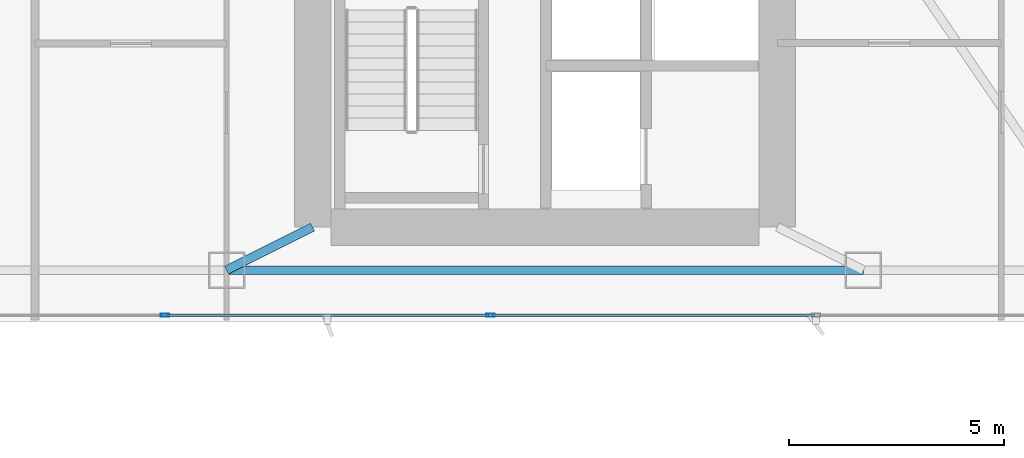
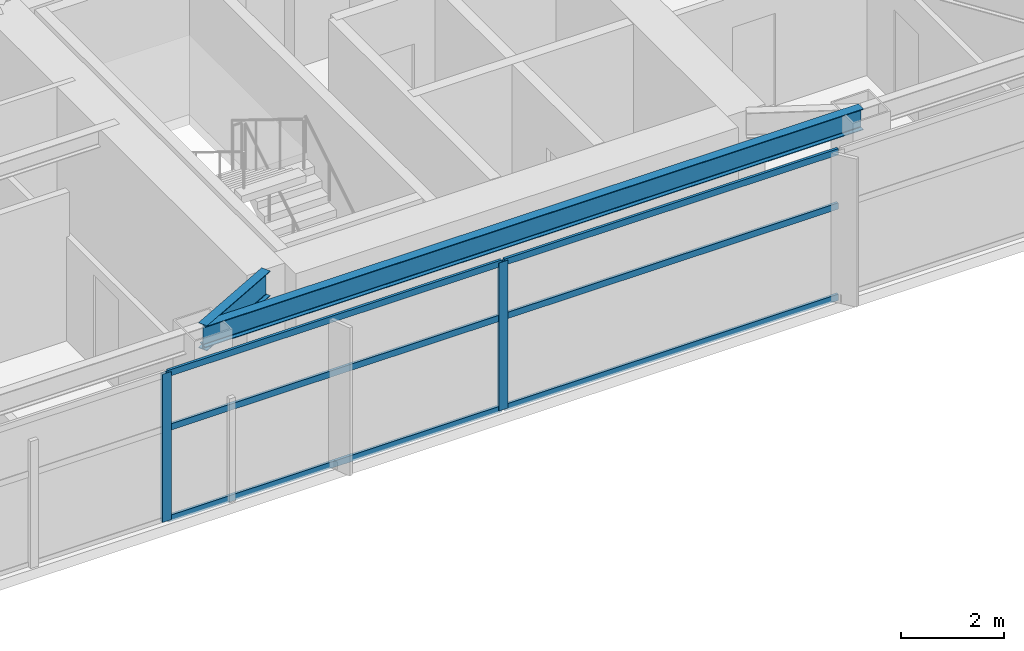
# One storey, part 6 of 28: 8 members, 2 beams, 1 element without a shape of its own.
"""IFC4 building model written with IfcOpenShell, lengths in metres."""

from ifc_helpers import new_model, si_unit, direction, frame, origin, origin_2d, place, context, subcontext, project, spatial, hollow_rectangle, i_section, extrude, material, layer, layer_set, material_profile, profile_set, type_object, element, aggregate, save


model = new_model("IFC4")

# Units and contexts
model_context = context("Model", 3, precision=1e-05, world=origin(), true_north=direction((0.0, 1.0)))
body_context = subcontext(model_context, "Body", "Model", "MODEL_VIEW")
ifc_project = project(units=[si_unit("LENGTHUNIT", "METRE"), si_unit("AREAUNIT", "SQUARE_METRE"), si_unit("VOLUMEUNIT", "CUBIC_METRE"), si_unit("PLANEANGLEUNIT", "RADIAN"), si_unit("MASSUNIT", "GRAM", prefix="KILO")], contexts=[model_context])

# Site, building, storey
site_placement = place(None, origin())
site = spatial("IfcSite", under=ifc_project, at=site_placement, CompositionType="ELEMENT")
building_placement = place(site_placement, origin())
building = spatial("IfcBuilding", under=site, at=building_placement, Name="Calvorn Quay Hotel", CompositionType="ELEMENT")
storey_placement = place(building_placement, frame((0.0, 0.0, 182.699951171875)))
storey = spatial("IfcBuildingStorey", under=building, at=storey_placement, Name="L45", CompositionType="ELEMENT", Elevation=182.699951171875)

# Beams
ifc_material_1 = material(Name="Steel Q355B", Category="steel")
ifc_material_profile_1 = material_profile(ifc_material_1, i_section(OverallWidth=0.199951171875, OverallDepth=0.60009765625, WebThickness=0.010986328125, FlangeThickness=0.01708984375, FilletRadius=0.01806640625, at=origin_2d()), Name="HN600x200x11x17")
ifc_profile_set_1 = profile_set([ifc_material_profile_1], Name="Steel Q355B")
beam_type_1 = type_object("IfcBeamType", Name="BM-GIRD-TYP", PredefinedType="BEAM", material=ifc_profile_set_1)
beam_1_placement = place(storey_placement, frame((19.60009765625, 3.60009765625, 3.219970703125), z_axis=(0.894427191, 0.4472135955, 0.0), x_axis=(-0.4472135955, 0.894427191, 0.0)))
element("IfcBeam", 1, at=beam_1_placement, inside=storey, type_object=beam_type_1, Name="Beam BG-L45-S2", PredefinedType="BEAM", context=body_context, shape_type="SweptSolid", body=[
    extrude(i_section(OverallWidth=0.199951171875, OverallDepth=0.60009765625, WebThickness=0.010986328125, FlangeThickness=0.01708984375, FilletRadius=0.01806640625, at=origin_2d()), origin(), (0.0, 0.0, 1.0), 2.236083984375),
])
ifc_material_2 = material(Name="Steel Q355B", Category="steel")
ifc_material_profile_2 = material_profile(ifc_material_2, i_section(OverallWidth=0.199951171875, OverallDepth=0.5, WebThickness=0.010009765625, FlangeThickness=0.01611328125, FilletRadius=0.01611328125, at=origin_2d()), Name="HN500x200x10x16")
ifc_profile_set_2 = profile_set([ifc_material_profile_2], Name="Steel Q355B")
beam_type_2 = type_object("IfcBeamType", Name="BM-SPANDREL-Z1", PredefinedType="SPANDREL", material=ifc_profile_set_2)
beam_2_placement = place(storey_placement, frame((19.60009765625, 3.60009765625, 3.27001953125), z_axis=(1.0, 0.0, 0.0), x_axis=(0.0, 1.0, 0.0)))
element("IfcBeam", 2, at=beam_2_placement, inside=storey, type_object=beam_type_2, Name="Beam BSP-L45-S3", PredefinedType="SPANDREL", context=body_context, shape_type="SweptSolid", body=[
    extrude(i_section(OverallWidth=0.199951171875, OverallDepth=0.5, WebThickness=0.010009765625, FlangeThickness=0.01611328125, FilletRadius=0.01611328125, at=origin_2d()), origin(), (0.0, 0.0, 1.0), 14.7998046875),
])

# Curtain wall, members
ifc_material_3 = material(Name="Pale Anodised Aluminium and Low-E Glass", Category="aluminium")
ifc_layer = layer(ifc_material_3, 0.219970703125)
ifc_layer_set = layer_set([ifc_layer], Name="CW-SYS-Z2")
curtain_wall_type = type_object("IfcCurtainWallType", Name="CW-SYS-Z2", PredefinedType="NOTDEFINED", material=ifc_layer_set)
curtain_wall_placement = place(storey_placement, origin())
curtain_wall = element("IfcCurtainWall", 3, at=curtain_wall_placement, inside=storey, type_object=curtain_wall_type, Name="Tower South Waterfront Curtain Wall (L45)", PredefinedType="NOTDEFINED")
ifc_material_4 = material(Name="Pale Anodised Aluminium 6063-T6", Category="aluminium")
ifc_material_profile_3 = material_profile(ifc_material_4, hollow_rectangle(XDim=0.070068359375, YDim=0.199951171875, WallThickness=0.00390625, at=origin_2d()), Name="ALU-M200x70x4")
ifc_profile_set_3 = profile_set([ifc_material_profile_3], Name="Pale Anodised Aluminium 6063-T6")
member_type_1 = type_object("IfcMemberType", Name="CW-SYS-Z2-MUL", PredefinedType="MULLION", material=ifc_profile_set_3)
member_1_placement = place(storey_placement, frame((18.166748046875, 2.550048828125, 0.0), z_axis=(0.0, 0.0, 1.0), x_axis=(0.0, 1.0, 0.0)))
member_1 = element("IfcMember", 4, at=member_1_placement, type_object=member_type_1, Name="CW-L45-S mullion 2", PredefinedType="MULLION", context=body_context, shape_type="SweptSolid", body=[
    extrude(hollow_rectangle(XDim=0.070068359375, YDim=0.199951171875, WallThickness=0.00390625, at=origin_2d()), origin(), (0.0, 0.0, 1.0), 3.52001953125),
])
member_2_placement = place(storey_placement, frame((25.7333984375, 2.550048828125, 0.0), z_axis=(0.0, 0.0, 1.0), x_axis=(0.0, 1.0, 0.0)))
member_2 = element("IfcMember", 5, at=member_2_placement, type_object=member_type_1, Name="CW-L45-S mullion 3", PredefinedType="MULLION", context=body_context, shape_type="SweptSolid", body=[
    extrude(hollow_rectangle(XDim=0.070068359375, YDim=0.199951171875, WallThickness=0.00390625, at=origin_2d()), origin(), (0.0, 0.0, 1.0), 3.52001953125),
])
ifc_material_5 = material(Name="Pale Anodised Aluminium 6063-T6", Category="aluminium")
ifc_material_profile_4 = material_profile(ifc_material_5, hollow_rectangle(XDim=0.06005859375, YDim=0.14990234375, WallThickness=0.00341796875, at=origin_2d()), Name="ALU-T150x60x3.5")
ifc_profile_set_4 = profile_set([ifc_material_profile_4], Name="Pale Anodised Aluminium 6063-T6")
member_type_2 = type_object("IfcMemberType", Name="CW-SYS-Z2-TRN", PredefinedType="USERDEFINED", material=ifc_profile_set_4)
member_3_placement = place(storey_placement, frame((18.19677734375, 2.550048828125, 0.030029296875), z_axis=(1.0, 0.0, 0.0), x_axis=(0.0, 1.0, 0.0)))
member_3 = element("IfcMember", 6, at=member_3_placement, type_object=member_type_2, Name="CW-L45-S transom 2.1", ObjectType="TRANSOM", PredefinedType="USERDEFINED", context=body_context, shape_type="SweptSolid", body=[
    extrude(hollow_rectangle(XDim=0.06005859375, YDim=0.14990234375, WallThickness=0.00341796875, at=origin_2d()), origin(), (0.0, 0.0, 1.0), 7.506591796875),
])
member_4_placement = place(storey_placement, frame((18.19677734375, 2.550048828125, 2.199951171875), z_axis=(1.0, 0.0, 0.0), x_axis=(0.0, 1.0, 0.0)))
member_4 = element("IfcMember", 7, at=member_4_placement, type_object=member_type_2, Name="CW-L45-S transom 2.2", ObjectType="TRANSOM", PredefinedType="USERDEFINED", context=body_context, shape_type="SweptSolid", body=[
    extrude(hollow_rectangle(XDim=0.06005859375, YDim=0.14990234375, WallThickness=0.00341796875, at=origin_2d()), origin(), (0.0, 0.0, 1.0), 7.506591796875),
])
member_5_placement = place(storey_placement, frame((18.19677734375, 2.550048828125, 3.489990234375), z_axis=(1.0, 0.0, 0.0), x_axis=(0.0, 1.0, 0.0)))
member_5 = element("IfcMember", 8, at=member_5_placement, type_object=member_type_2, Name="CW-L45-S transom 2.3", ObjectType="TRANSOM", PredefinedType="USERDEFINED", context=body_context, shape_type="SweptSolid", body=[
    extrude(hollow_rectangle(XDim=0.06005859375, YDim=0.14990234375, WallThickness=0.00341796875, at=origin_2d()), origin(), (0.0, 0.0, 1.0), 7.506591796875),
])
member_6_placement = place(storey_placement, frame((25.763427734375, 2.550048828125, 0.030029296875), z_axis=(1.0, 0.0, 0.0), x_axis=(0.0, 1.0, 0.0)))
member_6 = element("IfcMember", 9, at=member_6_placement, type_object=member_type_2, Name="CW-L45-S transom 3.1", ObjectType="TRANSOM", PredefinedType="USERDEFINED", context=body_context, shape_type="SweptSolid", body=[
    extrude(hollow_rectangle(XDim=0.06005859375, YDim=0.14990234375, WallThickness=0.00341796875, at=origin_2d()), origin(), (0.0, 0.0, 1.0), 7.506591796875),
])
member_7_placement = place(storey_placement, frame((25.763427734375, 2.550048828125, 2.199951171875), z_axis=(1.0, 0.0, 0.0), x_axis=(0.0, 1.0, 0.0)))
member_7 = element("IfcMember", 10, at=member_7_placement, type_object=member_type_2, Name="CW-L45-S transom 3.2", ObjectType="TRANSOM", PredefinedType="USERDEFINED", context=body_context, shape_type="SweptSolid", body=[
    extrude(hollow_rectangle(XDim=0.06005859375, YDim=0.14990234375, WallThickness=0.00341796875, at=origin_2d()), origin(), (0.0, 0.0, 1.0), 7.506591796875),
])
member_8_placement = place(storey_placement, frame((25.763427734375, 2.550048828125, 3.489990234375), z_axis=(1.0, 0.0, 0.0), x_axis=(0.0, 1.0, 0.0)))
member_8 = element("IfcMember", 11, at=member_8_placement, type_object=member_type_2, Name="CW-L45-S transom 3.3", ObjectType="TRANSOM", PredefinedType="USERDEFINED", context=body_context, shape_type="SweptSolid", body=[
    extrude(hollow_rectangle(XDim=0.06005859375, YDim=0.14990234375, WallThickness=0.00341796875, at=origin_2d()), origin(), (0.0, 0.0, 1.0), 7.506591796875),
])
aggregate(curtain_wall, [member_1, member_2, member_3, member_4, member_5, member_6, member_7, member_8])

save(model, "model.ifc")
